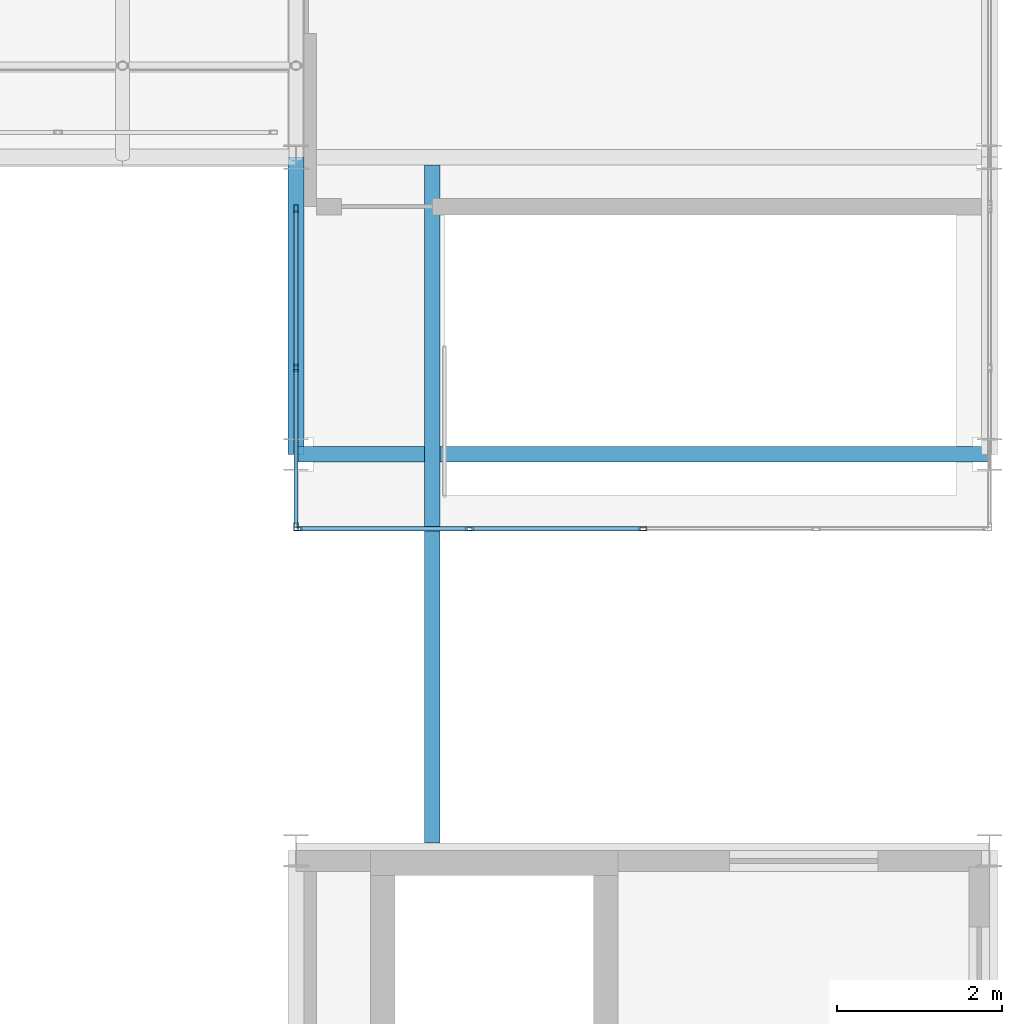
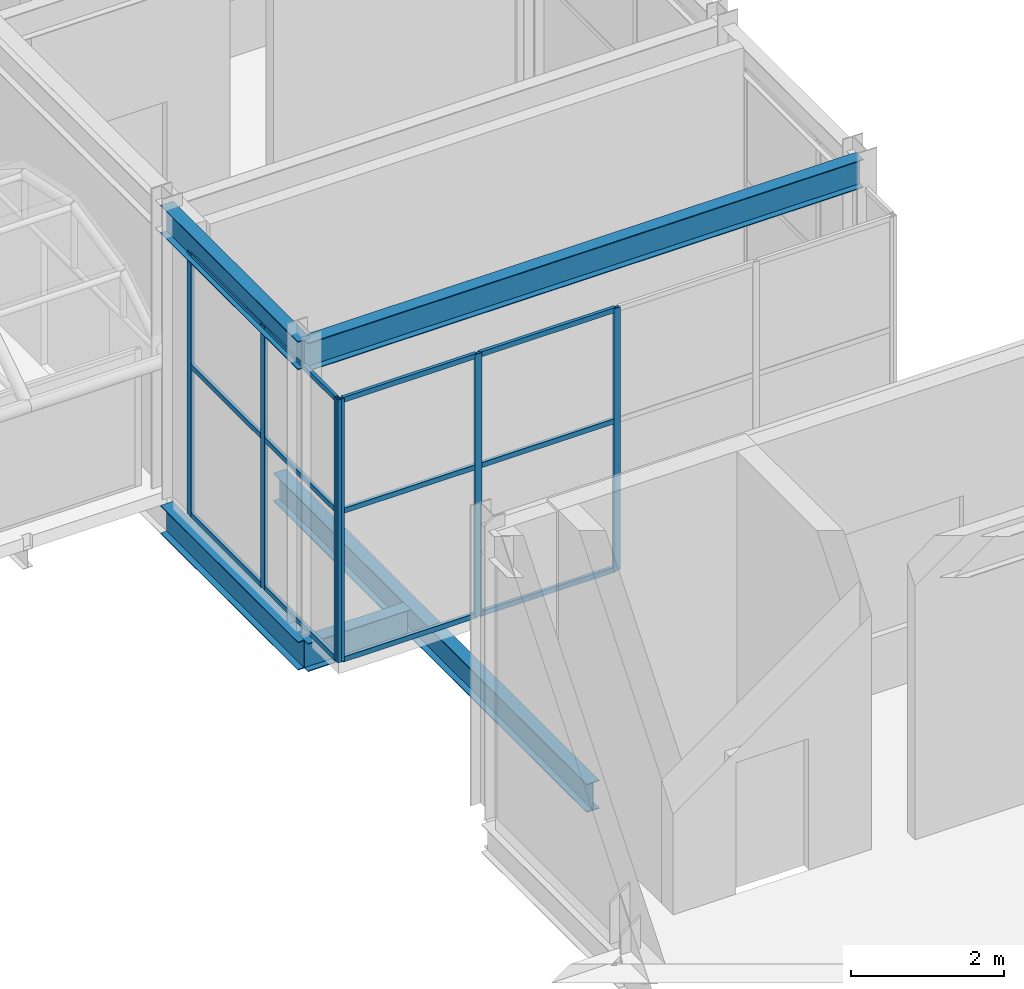
# One storey, part 103 of 167: 18 members, 5 beams, 2 elements without a shape of their own.
"""IFC4 building model written with IfcOpenShell, lengths in metres."""

import ifcopenshell
import ifcopenshell.guid

model = None  # the IFC model being written
_history = None  # IfcOwnerHistory: only IFC2X3 demands one
_inside = {}  # id of a spatial element -> (the spatial element, [elements in it])
_under = {}  # id of a project, library or spatial element -> (it, [spatial elements below it])
_declared = {}  # id of a project -> (the project, [libraries it declares])
_typed = {}  # id of a type object -> (the type object, [elements of that type])
_made_of = {}  # id of a material, layer set ... -> (it, [elements and type objects made of it])


def new_model(schema):
    """Start an empty IFC model of exactly this schema.

    Asked for "IFC4X3", IfcOpenShell would pick the latest addendum, in which some entities
    have other attributes; the version numbers below select the first issue.
    IFC2X3 requires an IfcOwnerHistory on every rooted entity: one is made here for all.
    """
    global model, _history
    if schema == "IFC4X3":
        model = ifcopenshell.file(schema_version=(4, 3, 0, 0))
    else:
        model = ifcopenshell.file(schema=schema)
    _inside.clear()
    _under.clear()
    _declared.clear()
    _typed.clear()
    _made_of.clear()
    _history = None
    if model.schema == "IFC2X3":
        org = make("IfcOrganization", Name="unknown")
        user = make(
            "IfcPersonAndOrganization",
            ThePerson=make("IfcPerson", FamilyName="unknown"),
            TheOrganization=org,
        )
        app = make(
            "IfcApplication",
            ApplicationDeveloper=org,
            Version="unknown",
            ApplicationFullName="unknown",
            ApplicationIdentifier="unknown",
        )
        _history = make(
            "IfcOwnerHistory",
            OwningUser=user,
            OwningApplication=app,
            ChangeAction="ADDED",
            CreationDate=0,
        )
    return model


def make(cls, **values):
    """One entity of the class cls with the attributes given. An attribute that is None is left unset."""
    return model.create_entity(
        cls, **{name: value for name, value in values.items() if value is not None}
    )


def rooted(cls, **values):
    """An entity with a GlobalId (a new one), such as an element, a storey or a relation."""
    return make(cls, GlobalId=ifcopenshell.guid.new(), OwnerHistory=_history, **values)


def si_unit(unit_type, name, prefix=None):
    """IfcSIUnit, for example si_unit("LENGTHUNIT", "METRE", prefix="MILLI")."""
    return make("IfcSIUnit", UnitType=unit_type, Prefix=prefix, Name=name)


def assignment(units):
    """IfcUnitAssignment: the units of a project."""
    return None if units is None else make("IfcUnitAssignment", Units=units)


def point(xyz):
    """IfcCartesianPoint."""
    return None if xyz is None else make("IfcCartesianPoint", Coordinates=xyz)


def direction(xyz):
    """IfcDirection."""
    return None if xyz is None else make("IfcDirection", DirectionRatios=xyz)


def frame(location, z_axis=None, x_axis=None):
    """IfcAxis2Placement3D, a coordinate frame: its origin and axes. An axis left out is left unset."""
    return make(
        "IfcAxis2Placement3D",
        Location=point(location),
        Axis=direction(z_axis),
        RefDirection=direction(x_axis),
    )


def frame_2d(location, x_axis=None):
    """IfcAxis2Placement2D, a coordinate frame in the plane: its origin and x axis."""
    return make(
        "IfcAxis2Placement2D", Location=point(location), RefDirection=direction(x_axis)
    )


def origin():
    """The frame at (0, 0, 0) with its axes left unset."""
    return frame((0.0, 0.0, 0.0))


def origin_2d():
    """The frame at (0, 0) in the plane with its x axis left unset."""
    return frame_2d((0.0, 0.0))


def place(relative_to, where):
    """IfcLocalPlacement: puts the frame where relative to a parent placement (None: the world)."""
    return make(
        "IfcLocalPlacement", PlacementRelTo=relative_to, RelativePlacement=where
    )


def context(
    kind, dimensions, precision=None, world=None, true_north=None, identifier=None
):
    """IfcGeometricRepresentationContext, for example the 3D "Model" context."""
    return make(
        "IfcGeometricRepresentationContext",
        ContextIdentifier=identifier,
        ContextType=kind,
        CoordinateSpaceDimension=dimensions,
        Precision=precision,
        WorldCoordinateSystem=world,
        TrueNorth=true_north,
    )


def subcontext(parent, identifier, kind, view, scale=None):
    """IfcGeometricRepresentationSubContext, for example "Body" below "Model"."""
    return make(
        "IfcGeometricRepresentationSubContext",
        ContextIdentifier=identifier,
        ContextType=kind,
        ParentContext=parent,
        TargetScale=scale,
        TargetView=view,
    )


def project(units=None, contexts=None):
    """IfcProject with its units and contexts."""
    return rooted(
        "IfcProject",
        Name="project",
        RepresentationContexts=contexts,
        UnitsInContext=assignment(units),
    )


def spatial(cls, under=None, at=None, **own):
    """A site, building, storey or space (cls), placed at a placement, below another one or the project."""
    s = rooted(cls, ObjectPlacement=at, **own)
    if under is not None:
        _under.setdefault(under.id(), (under, []))[1].append(s)
    return s


def profile(cls, at=None, kind="AREA", **sizes):
    """A parametric profile (cls). Its sizes go by their IFC names, for example OverallWidth=200.0."""
    return make(cls, ProfileType=kind, Position=at, **sizes)


def hollow_rectangle(**sizes):
    """IfcRectangleHollowProfileDef."""
    return profile("IfcRectangleHollowProfileDef", **sizes)


def i_section(**sizes):
    """IfcIShapeProfileDef."""
    return profile("IfcIShapeProfileDef", **sizes)


def extrude(swept, where, along, depth):
    """IfcExtrudedAreaSolid: the profile swept, set in the frame where, extruded along a direction by depth."""
    return make(
        "IfcExtrudedAreaSolid",
        SweptArea=swept,
        Position=where,
        ExtrudedDirection=direction(along),
        Depth=depth,
    )


def shape(context_of_items, identifier, shape_type, items):
    """IfcShapeRepresentation: the items that make up one representation, for example the "Body"."""
    return make(
        "IfcShapeRepresentation",
        ContextOfItems=context_of_items,
        RepresentationIdentifier=identifier,
        RepresentationType=shape_type,
        Items=items,
    )


def material(Name=None, Category=None):
    """IfcMaterial."""
    return make("IfcMaterial", Name=Name, Category=Category)


def material_profile(
    of_material, cross_section, Name=None, Category=None, Priority=None
):
    """IfcMaterialProfile: a cross section and its material."""
    return make(
        "IfcMaterialProfile",
        Name=Name,
        Material=of_material,
        Profile=cross_section,
        Priority=Priority,
        Category=Category,
    )


def profile_set(profiles, Name=None, composite=None):
    """IfcMaterialProfileSet."""
    return make(
        "IfcMaterialProfileSet",
        Name=Name,
        MaterialProfiles=profiles,
        CompositeProfile=composite,
    )


def made_of(thing, what):
    """Note that an element or type object is made of a material, layer set ...; save() writes the relation."""
    if what is not None:
        _made_of.setdefault(what.id(), (what, []))[1].append(thing)
    return thing


def type_object(cls, material=None, **own):
    """A type object (cls), such as IfcWallType, which elements share."""
    return made_of(rooted(cls, **own), material)


def element(
    cls,
    number,
    at=None,
    inside=None,
    cuts=None,
    type_object=None,
    material=None,
    context=None,
    identifier="Body",
    shape_type=None,
    held_by="IfcProductDefinitionShape",
    body=None,
    shapes=None,
    **own,
):
    """One element of the class cls, such as IfcWall. Its Tag is "e" and its number.

    at: its placement. inside: the storey or other place that contains it. cuts: it is an
    opening in that element (IfcRelVoidsElement). A single representation is given by context,
    identifier, shape_type and body (its items); several are given by shapes. held_by: the class
    of the entity that holds the representations. save() writes the other relations.
    """
    e = rooted(cls, Tag="e%d" % number, ObjectPlacement=at, **own)
    if body is not None:
        shapes = [shape(context, identifier, shape_type, body)]
    if shapes is not None:
        e.Representation = make(held_by, Representations=shapes)
    if inside is not None:
        _inside.setdefault(inside.id(), (inside, []))[1].append(e)
    if cuts is not None:
        rooted(
            "IfcRelVoidsElement", RelatingBuildingElement=cuts, RelatedOpeningElement=e
        )
    if type_object is not None:
        _typed.setdefault(type_object.id(), (type_object, []))[1].append(e)
    return made_of(e, material)


def aggregate(whole, parts):
    """IfcRelAggregates: a whole, such as a stair, and the parts it consists of."""
    return rooted("IfcRelAggregates", RelatingObject=whole, RelatedObjects=parts)


def save(model, path):
    """Write the relations noted so far, then the file.

    IfcRelAggregates (storeys below a building ...), IfcRelContainedInSpatialStructure (elements
    in a storey), IfcRelDefinesByType, IfcRelAssociatesMaterial and IfcRelDeclares: one each for
    every whole, place, type object, material and project.
    """
    for whole, parts in _under.values():
        aggregate(whole, parts)
    for where, things in _inside.values():
        rooted(
            "IfcRelContainedInSpatialStructure",
            RelatedElements=things,
            RelatingStructure=where,
        )
    for kind, things in _typed.values():
        rooted("IfcRelDefinesByType", RelatedObjects=things, RelatingType=kind)
    for what, things in _made_of.values():
        rooted("IfcRelAssociatesMaterial", RelatedObjects=things, RelatingMaterial=what)
    for by, libraries in _declared.values():
        rooted("IfcRelDeclares", RelatingContext=by, RelatedDefinitions=libraries)
    model.write(path)


model = new_model("IFC4")

# Units and contexts
model_context = context("Model", 3, precision=1e-05, world=origin(), true_north=direction((0.0, 1.0)))
body_context = subcontext(model_context, "Body", "Model", "MODEL_VIEW")
ifc_project = project(units=[si_unit("LENGTHUNIT", "METRE"), si_unit("AREAUNIT", "SQUARE_METRE"), si_unit("VOLUMEUNIT", "CUBIC_METRE"), si_unit("PLANEANGLEUNIT", "RADIAN"), si_unit("MASSUNIT", "GRAM", prefix="KILO")], contexts=[model_context])

# Site, building, storey
site_placement = place(None, origin())
site = spatial("IfcSite", under=ifc_project, at=site_placement, CompositionType="ELEMENT")
building_placement = place(site_placement, origin())
building = spatial("IfcBuilding", under=site, at=building_placement, Name="Catenary Quay Ferry Terminal", CompositionType="ELEMENT")
storey_placement = place(building_placement, frame((0.0, 0.0, 6.0)))
storey = spatial("IfcBuildingStorey", under=building, at=storey_placement, Name="L01", CompositionType="ELEMENT", Elevation=6.0)

# Beams
ifc_material_1 = material(Name="Steel S355", Category="steel")
ifc_material_profile_1 = material_profile(ifc_material_1, i_section(OverallWidth=0.18994140625, OverallDepth=0.453369140625, WebThickness=0.008544921875, FlangeThickness=0.0126953125, at=origin_2d()), Name="UB 457x191x67")
ifc_profile_set_1 = profile_set([ifc_material_profile_1], Name="Steel S355")
beam_type = type_object("IfcBeamType", Name="B1 UB 457x191x67", PredefinedType="BEAM", material=ifc_profile_set_1)
beam_1_placement = place(storey_placement, frame((126.0, 86.39990234375, 4.373046875), z_axis=(1.0, 0.0, 0.0), x_axis=(0.0, 1.0, 0.0)))
element("IfcBeam", 1, at=beam_1_placement, inside=storey, type_object=beam_type, Name="Beam B1-043", PredefinedType="BEAM", context=body_context, shape_type="SweptSolid", body=[
    extrude(i_section(OverallWidth=0.18994140625, OverallDepth=0.453369140625, WebThickness=0.008544921875, FlangeThickness=0.0126953125, at=origin_2d()), origin(), (0.0, 0.0, 1.0), 8.39990234375),
])
beam_2_placement = place(storey_placement, frame((126.0, 86.39990234375, 4.373046875), z_axis=(0.0, 1.0, 0.0), x_axis=(-1.0, 0.0, 0.0)))
element("IfcBeam", 2, at=beam_2_placement, inside=storey, type_object=beam_type, Name="Beam B1-047", PredefinedType="BEAM", context=body_context, shape_type="SweptSolid", body=[
    extrude(i_section(OverallWidth=0.18994140625, OverallDepth=0.453369140625, WebThickness=0.008544921875, FlangeThickness=0.0126953125, at=origin_2d()), origin(), (0.0, 0.0, 1.0), 3.60009765625),
])
beam_3_placement = place(storey_placement, frame((126.0, 86.39990234375, -0.427001953125), z_axis=(1.0, 0.0, 0.0), x_axis=(0.0, 1.0, 0.0)))
element("IfcBeam", 3, at=beam_3_placement, inside=storey, type_object=beam_type, Name="Beam B1-072", PredefinedType="BEAM", context=body_context, shape_type="SweptSolid", body=[
    extrude(i_section(OverallWidth=0.18994140625, OverallDepth=0.453369140625, WebThickness=0.008544921875, FlangeThickness=0.0126953125, at=origin_2d()), origin(), (0.0, 0.0, 1.0), 1.554931640625),
])
beam_4_placement = place(storey_placement, frame((126.0, 86.39990234375, -0.427001953125), z_axis=(0.0, 1.0, 0.0), x_axis=(-1.0, 0.0, 0.0)))
element("IfcBeam", 4, at=beam_4_placement, inside=storey, type_object=beam_type, Name="Beam B1-076", PredefinedType="BEAM", context=body_context, shape_type="SweptSolid", body=[
    extrude(i_section(OverallWidth=0.18994140625, OverallDepth=0.453369140625, WebThickness=0.008544921875, FlangeThickness=0.0126953125, at=origin_2d()), origin(), (0.0, 0.0, 1.0), 3.60009765625),
])
beam_5_placement = place(storey_placement, frame((127.64990234375, 81.695068359375, -0.427001953125), z_axis=(0.0, 1.0, 0.0), x_axis=(-1.0, 0.0, 0.0)))
element("IfcBeam", 5, at=beam_5_placement, inside=storey, type_object=beam_type, Name="Beam B1-103", PredefinedType="BEAM", context=body_context, shape_type="SweptSolid", body=[
    extrude(i_section(OverallWidth=0.18994140625, OverallDepth=0.453369140625, WebThickness=0.008544921875, FlangeThickness=0.0126953125, at=origin_2d()), origin(), (0.0, 0.0, 1.0), 8.2099609375),
])

# Curtain wall, members
ifc_material_2 = material(Name="Aluminium and glass", Category="aluminium")
curtain_wall_type = type_object("IfcCurtainWallType", Name="CWK", PredefinedType="NOTDEFINED", material=ifc_material_2)
curtain_wall_1_placement = place(storey_placement, origin())
curtain_wall_1 = element("IfcCurtainWall", 6, at=curtain_wall_1_placement, inside=storey, type_object=curtain_wall_type, Name="Head berth 2 stair curtain wall CW88", PredefinedType="NOTDEFINED")
ifc_material_3 = material(Name="Aluminium", Category="aluminium")
ifc_material_profile_2 = material_profile(ifc_material_3, hollow_rectangle(XDim=0.050048828125, YDim=0.10009765625, WallThickness=0.0048828125, at=origin_2d()), Name="MU1")
ifc_profile_set_2 = profile_set([ifc_material_profile_2], Name="Aluminium")
member_type_1 = type_object("IfcMemberType", Name="MU1", PredefinedType="MULLION", material=ifc_profile_set_2)
member_1_placement = place(storey_placement, frame((126.02490234375, 85.5, 0.0), z_axis=(0.0, 0.0, 1.0), x_axis=(0.0, 1.0, 0.0)))
member_1 = element("IfcMember", 7, at=member_1_placement, type_object=member_type_1, Name="CW88 mullion 1", PredefinedType="MULLION", context=body_context, shape_type="SweptSolid", body=[
    extrude(hollow_rectangle(XDim=0.050048828125, YDim=0.10009765625, WallThickness=0.0048828125, at=origin_2d()), origin(), (0.0, 0.0, 1.0), 4.199951171875),
])
member_2_placement = place(storey_placement, frame((128.10009765625, 85.5, 0.0), z_axis=(0.0, 0.0, 1.0), x_axis=(0.0, 1.0, 0.0)))
member_2 = element("IfcMember", 8, at=member_2_placement, type_object=member_type_1, Name="CW88 mullion 2", PredefinedType="MULLION", context=body_context, shape_type="SweptSolid", body=[
    extrude(hollow_rectangle(XDim=0.050048828125, YDim=0.10009765625, WallThickness=0.0048828125, at=origin_2d()), origin(), (0.0, 0.0, 1.0), 4.199951171875),
])
member_3_placement = place(storey_placement, frame((130.199951171875, 85.5, 0.0), z_axis=(0.0, 0.0, 1.0), x_axis=(0.0, 1.0, 0.0)))
member_3 = element("IfcMember", 9, at=member_3_placement, type_object=member_type_1, Name="CW88 mullion 3", PredefinedType="MULLION", context=body_context, shape_type="SweptSolid", body=[
    extrude(hollow_rectangle(XDim=0.050048828125, YDim=0.10009765625, WallThickness=0.0048828125, at=origin_2d()), origin(), (0.0, 0.0, 1.0), 4.199951171875),
])

curtain_wall_2_placement = place(storey_placement, origin())
curtain_wall_2 = element("IfcCurtainWall", 10, at=curtain_wall_2_placement, inside=storey, type_object=curtain_wall_type, Name="Head berth 2 stair curtain wall CW90", PredefinedType="NOTDEFINED")
member_4_placement = place(storey_placement, frame((126.0, 85.52490234375, 0.0), z_axis=(0.0, 0.0, 1.0), x_axis=(-1.0, 0.0, 0.0)))
member_4 = element("IfcMember", 11, at=member_4_placement, type_object=member_type_1, Name="CW90 mullion 1", PredefinedType="MULLION", context=body_context, shape_type="SweptSolid", body=[
    extrude(hollow_rectangle(XDim=0.050048828125, YDim=0.10009765625, WallThickness=0.0048828125, at=origin_2d()), origin(), (0.0, 0.0, 1.0), 4.199951171875),
])
member_5_placement = place(storey_placement, frame((126.0, 87.449951171875, 0.0), z_axis=(0.0, 0.0, 1.0), x_axis=(-1.0, 0.0, 0.0)))
member_5 = element("IfcMember", 12, at=member_5_placement, type_object=member_type_1, Name="CW90 mullion 2", PredefinedType="MULLION", context=body_context, shape_type="SweptSolid", body=[
    extrude(hollow_rectangle(XDim=0.050048828125, YDim=0.10009765625, WallThickness=0.0048828125, at=origin_2d()), origin(), (0.0, 0.0, 1.0), 4.199951171875),
])
member_6_placement = place(storey_placement, frame((126.0, 89.375, 0.0), z_axis=(0.0, 0.0, 1.0), x_axis=(-1.0, 0.0, 0.0)))
member_6 = element("IfcMember", 13, at=member_6_placement, type_object=member_type_1, Name="CW90 mullion 3", PredefinedType="MULLION", context=body_context, shape_type="SweptSolid", body=[
    extrude(hollow_rectangle(XDim=0.050048828125, YDim=0.10009765625, WallThickness=0.0048828125, at=origin_2d()), origin(), (0.0, 0.0, 1.0), 4.199951171875),
])

# Member
ifc_material_4 = material(Name="Aluminium", Category="aluminium")
ifc_material_profile_3 = material_profile(ifc_material_4, hollow_rectangle(XDim=0.050048828125, YDim=0.080078125, WallThickness=0.00390625, at=origin_2d()), Name="TR1")
ifc_profile_set_3 = profile_set([ifc_material_profile_3], Name="Aluminium")
member_type_2 = type_object("IfcMemberType", Name="TR1", PredefinedType="USERDEFINED", material=ifc_profile_set_3)
member_7_placement = place(storey_placement, frame((126.050048828125, 85.5, 0.02490234375), z_axis=(1.0, 0.0, 0.0), x_axis=(0.0, 1.0, 0.0)))
member_7 = element("IfcMember", 14, at=member_7_placement, type_object=member_type_2, Name="CW88 transom 1.1", ObjectType="TRANSOM", PredefinedType="USERDEFINED", context=body_context, shape_type="SweptSolid", body=[
    extrude(hollow_rectangle(XDim=0.050048828125, YDim=0.080078125, WallThickness=0.00390625, at=origin_2d()), origin(), (0.0, 0.0, 1.0), 2.02490234375),
])

member_8_placement = place(storey_placement, frame((126.050048828125, 85.5, 2.39990234375), z_axis=(1.0, 0.0, 0.0), x_axis=(0.0, 1.0, 0.0)))
member_8 = element("IfcMember", 15, at=member_8_placement, type_object=member_type_2, Name="CW88 transom 1.2", ObjectType="TRANSOM", PredefinedType="USERDEFINED", context=body_context, shape_type="SweptSolid", body=[
    extrude(hollow_rectangle(XDim=0.050048828125, YDim=0.080078125, WallThickness=0.00390625, at=origin_2d()), origin(), (0.0, 0.0, 1.0), 2.02490234375),
])

member_9_placement = place(storey_placement, frame((126.050048828125, 85.5, 4.175048828125), z_axis=(1.0, 0.0, 0.0), x_axis=(0.0, 1.0, 0.0)))
member_9 = element("IfcMember", 16, at=member_9_placement, type_object=member_type_2, Name="CW88 transom 1.3", ObjectType="TRANSOM", PredefinedType="USERDEFINED", context=body_context, shape_type="SweptSolid", body=[
    extrude(hollow_rectangle(XDim=0.050048828125, YDim=0.080078125, WallThickness=0.00390625, at=origin_2d()), origin(), (0.0, 0.0, 1.0), 2.02490234375),
])

member_10_placement = place(storey_placement, frame((128.125, 85.5, 0.02490234375), z_axis=(1.0, 0.0, 0.0), x_axis=(0.0, 1.0, 0.0)))
member_10 = element("IfcMember", 17, at=member_10_placement, type_object=member_type_2, Name="CW88 transom 2.1", ObjectType="TRANSOM", PredefinedType="USERDEFINED", context=body_context, shape_type="SweptSolid", body=[
    extrude(hollow_rectangle(XDim=0.050048828125, YDim=0.080078125, WallThickness=0.00390625, at=origin_2d()), origin(), (0.0, 0.0, 1.0), 2.050048828125),
])

member_11_placement = place(storey_placement, frame((128.125, 85.5, 2.39990234375), z_axis=(1.0, 0.0, 0.0), x_axis=(0.0, 1.0, 0.0)))
member_11 = element("IfcMember", 18, at=member_11_placement, type_object=member_type_2, Name="CW88 transom 2.2", ObjectType="TRANSOM", PredefinedType="USERDEFINED", context=body_context, shape_type="SweptSolid", body=[
    extrude(hollow_rectangle(XDim=0.050048828125, YDim=0.080078125, WallThickness=0.00390625, at=origin_2d()), origin(), (0.0, 0.0, 1.0), 2.050048828125),
])

member_12_placement = place(storey_placement, frame((128.125, 85.5, 4.175048828125), z_axis=(1.0, 0.0, 0.0), x_axis=(0.0, 1.0, 0.0)))
member_12 = element("IfcMember", 19, at=member_12_placement, type_object=member_type_2, Name="CW88 transom 2.3", ObjectType="TRANSOM", PredefinedType="USERDEFINED", context=body_context, shape_type="SweptSolid", body=[
    extrude(hollow_rectangle(XDim=0.050048828125, YDim=0.080078125, WallThickness=0.00390625, at=origin_2d()), origin(), (0.0, 0.0, 1.0), 2.050048828125),
])

aggregate(curtain_wall_1, [member_1, member_2, member_3, member_7, member_8, member_9, member_10, member_11, member_12])

member_13_placement = place(storey_placement, frame((126.0, 85.550048828125, 0.02490234375), z_axis=(0.0, 1.0, 0.0), x_axis=(-1.0, 0.0, 0.0)))
member_13 = element("IfcMember", 20, at=member_13_placement, type_object=member_type_2, Name="CW90 transom 1.1", ObjectType="TRANSOM", PredefinedType="USERDEFINED", context=body_context, shape_type="SweptSolid", body=[
    extrude(hollow_rectangle(XDim=0.050048828125, YDim=0.080078125, WallThickness=0.00390625, at=origin_2d()), origin(), (0.0, 0.0, 1.0), 1.875),
])

member_14_placement = place(storey_placement, frame((126.0, 85.550048828125, 2.39990234375), z_axis=(0.0, 1.0, 0.0), x_axis=(-1.0, 0.0, 0.0)))
member_14 = element("IfcMember", 21, at=member_14_placement, type_object=member_type_2, Name="CW90 transom 1.2", ObjectType="TRANSOM", PredefinedType="USERDEFINED", context=body_context, shape_type="SweptSolid", body=[
    extrude(hollow_rectangle(XDim=0.050048828125, YDim=0.080078125, WallThickness=0.00390625, at=origin_2d()), origin(), (0.0, 0.0, 1.0), 1.875),
])

member_15_placement = place(storey_placement, frame((126.0, 85.550048828125, 4.175048828125), z_axis=(0.0, 1.0, 0.0), x_axis=(-1.0, 0.0, 0.0)))
member_15 = element("IfcMember", 22, at=member_15_placement, type_object=member_type_2, Name="CW90 transom 1.3", ObjectType="TRANSOM", PredefinedType="USERDEFINED", context=body_context, shape_type="SweptSolid", body=[
    extrude(hollow_rectangle(XDim=0.050048828125, YDim=0.080078125, WallThickness=0.00390625, at=origin_2d()), origin(), (0.0, 0.0, 1.0), 1.875),
])

member_16_placement = place(storey_placement, frame((126.0, 87.47509765625, 0.02490234375), z_axis=(0.0, 1.0, 0.0), x_axis=(-1.0, 0.0, 0.0)))
member_16 = element("IfcMember", 23, at=member_16_placement, type_object=member_type_2, Name="CW90 transom 2.1", ObjectType="TRANSOM", PredefinedType="USERDEFINED", context=body_context, shape_type="SweptSolid", body=[
    extrude(hollow_rectangle(XDim=0.050048828125, YDim=0.080078125, WallThickness=0.00390625, at=origin_2d()), origin(), (0.0, 0.0, 1.0), 1.875),
])

member_17_placement = place(storey_placement, frame((126.0, 87.47509765625, 2.39990234375), z_axis=(0.0, 1.0, 0.0), x_axis=(-1.0, 0.0, 0.0)))
member_17 = element("IfcMember", 24, at=member_17_placement, type_object=member_type_2, Name="CW90 transom 2.2", ObjectType="TRANSOM", PredefinedType="USERDEFINED", context=body_context, shape_type="SweptSolid", body=[
    extrude(hollow_rectangle(XDim=0.050048828125, YDim=0.080078125, WallThickness=0.00390625, at=origin_2d()), origin(), (0.0, 0.0, 1.0), 1.875),
])

member_18_placement = place(storey_placement, frame((126.0, 87.47509765625, 4.175048828125), z_axis=(0.0, 1.0, 0.0), x_axis=(-1.0, 0.0, 0.0)))
member_18 = element("IfcMember", 25, at=member_18_placement, type_object=member_type_2, Name="CW90 transom 2.3", ObjectType="TRANSOM", PredefinedType="USERDEFINED", context=body_context, shape_type="SweptSolid", body=[
    extrude(hollow_rectangle(XDim=0.050048828125, YDim=0.080078125, WallThickness=0.00390625, at=origin_2d()), origin(), (0.0, 0.0, 1.0), 1.875),
])

aggregate(curtain_wall_2, [member_4, member_5, member_6, member_13, member_14, member_15, member_16, member_17, member_18])

save(model, "model.ifc")
